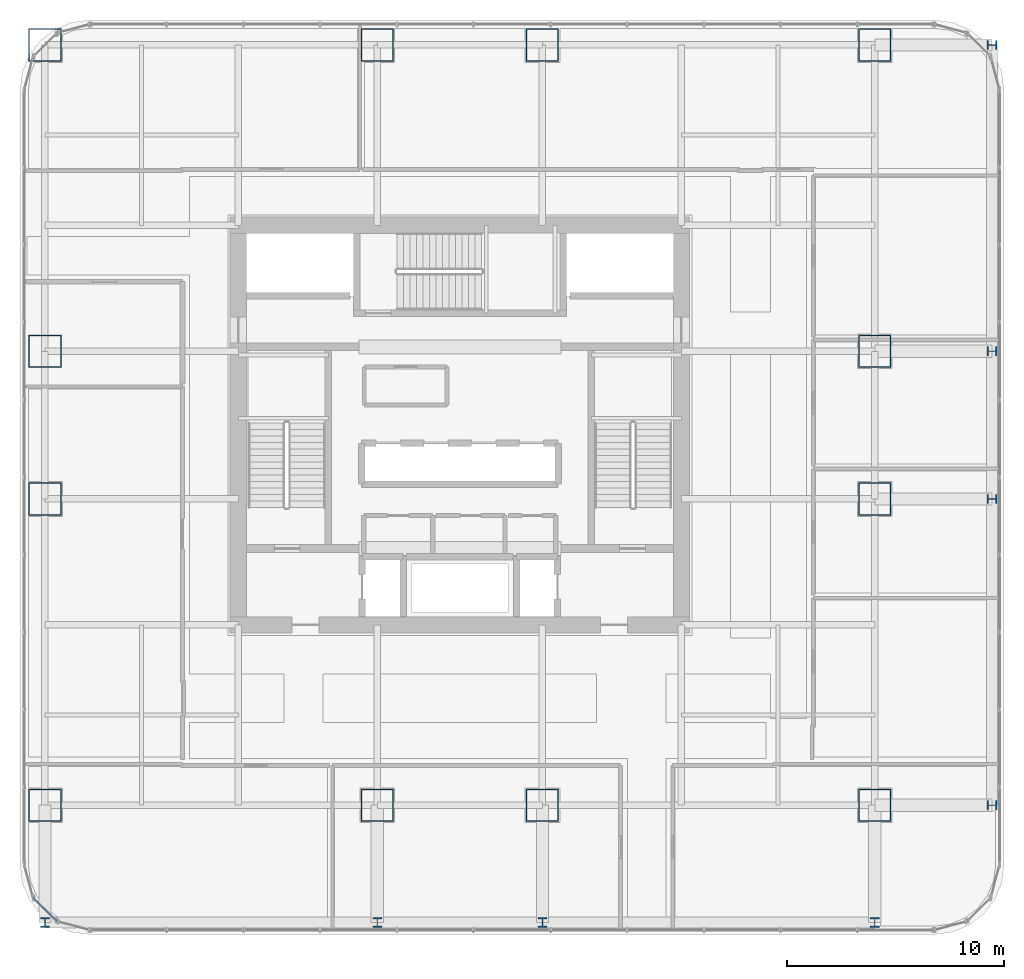
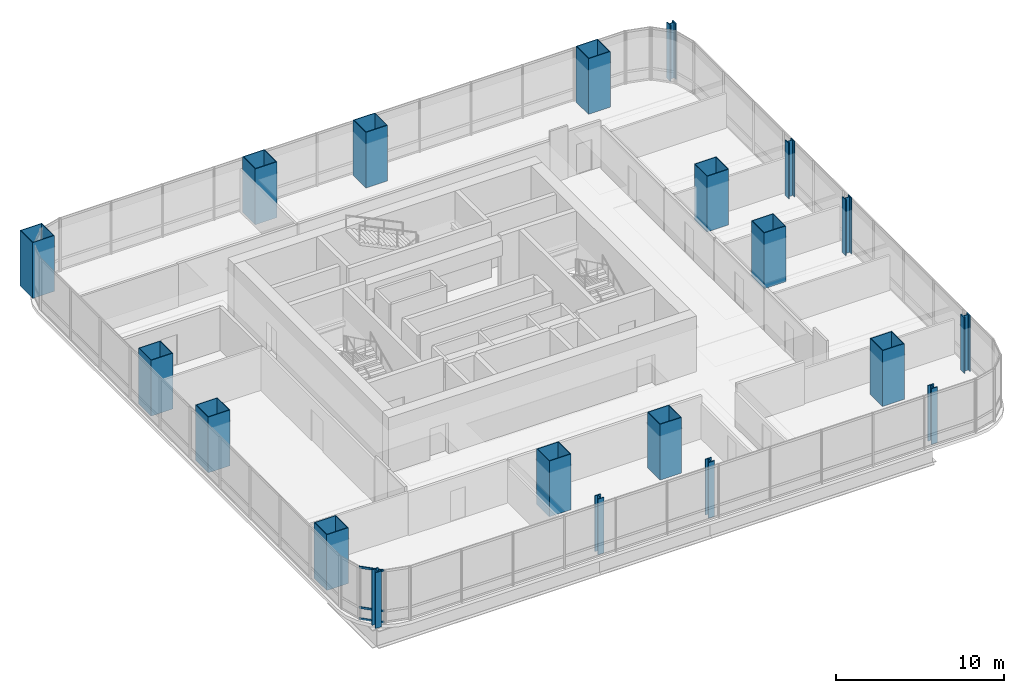
# One storey, part 1 of 34: 20 columns, 3 members, 1 element without a shape of its own.
"""IFC4 building model written with IfcOpenShell, lengths in metres."""

from ifc_helpers import new_model, si_unit, direction, frame, origin, origin_2d, place, context, subcontext, project, spatial, hollow_rectangle, i_section, extrude, material, material_profile, profile_set, type_object, element, aggregate, save


model = new_model("IFC4")

# Units and contexts
model_context = context("Model", 3, precision=1e-05, world=origin(), true_north=direction((0.0, 1.0)))
body_context = subcontext(model_context, "Body", "Model", "MODEL_VIEW")
ifc_project = project(units=[si_unit("LENGTHUNIT", "METRE"), si_unit("AREAUNIT", "SQUARE_METRE"), si_unit("VOLUMEUNIT", "CUBIC_METRE"), si_unit("PLANEANGLEUNIT", "RADIAN"), si_unit("MASSUNIT", "GRAM", prefix="KILO")], contexts=[model_context])

# Site, building, storey
site_placement = place(None, origin())
site = spatial("IfcSite", under=ifc_project, at=site_placement, CompositionType="ELEMENT")
building_placement = place(site_placement, origin())
building = spatial("IfcBuilding", under=site, at=building_placement, Name="Punatoya Terracotta Tower", CompositionType="ELEMENT")
storey_placement = place(building_placement, frame((0.0, 0.0, 84.89990234375)))
storey = spatial("IfcBuildingStorey", under=building, at=storey_placement, Name="L19", CompositionType="ELEMENT", Elevation=84.89990234375)

# Columns
ifc_material_1 = material(Name="Steel S460", Category="steel")
ifc_material_profile_1 = material_profile(ifc_material_1, i_section(OverallWidth=0.416015625, OverallDepth=0.446044921875, WebThickness=0.0390625, FlangeThickness=0.06201171875, FilletRadius=0.01806640625, at=origin_2d()))
ifc_profile_set_1 = profile_set([ifc_material_profile_1], Name="Steel S460")
column_type_1 = type_object("IfcColumnType", Name="COL-EX-M1", PredefinedType="COLUMN", material=ifc_profile_set_1)
for number, where, z_axis, x_axis, name in (
    (1, (-19.10009765625, -22.89990234375, 0.0), (0.0, 0.0, 1.0), (1.0, 0.0, 0.0), "L19 Exoskeleton Perimeter Column S1"),
    (2, (-3.800048828125, -22.89990234375, 0.0), (0.0, 0.0, 1.0), (1.0, 0.0, 0.0), "L19 Exoskeleton Perimeter Column S2"),
    (3, (3.800048828125, -22.89990234375, 0.0), (0.0, 0.0, 1.0), (1.0, 0.0, 0.0), "L19 Exoskeleton Perimeter Column S3"),
    (4, (19.10009765625, -22.89990234375, 0.0), (0.0, 0.0, 1.0), (1.0, 0.0, 0.0), "L19 Exoskeleton Perimeter Column S4"),
    (5, (24.5, -17.5, 0.0), (0.0, 0.0, 1.0), (0.0, 1.0, 0.0), "L19 Exoskeleton Perimeter Column E1"),
    (6, (24.5, -3.39990234375, 0.0), (0.0, 0.0, 1.0), (0.0, 1.0, 0.0), "L19 Exoskeleton Perimeter Column E2"),
    (7, (24.5, 3.39990234375, 0.0), (0.0, 0.0, 1.0), (0.0, 1.0, 0.0), "L19 Exoskeleton Perimeter Column E3"),
    (8, (24.5, 17.5, 0.0), (0.0, 0.0, 1.0), (0.0, 1.0, 0.0), "L19 Exoskeleton Perimeter Column E4"),
):
    element("IfcColumn", number, at=place(storey_placement, frame(where, z_axis=z_axis, x_axis=x_axis)), inside=storey, type_object=column_type_1, Name=name, PredefinedType="COLUMN", context=body_context, shape_type="SweptSolid", body=[
        extrude(i_section(OverallWidth=0.416015625, OverallDepth=0.446044921875, WebThickness=0.0390625, FlangeThickness=0.06201171875, FilletRadius=0.01806640625, at=origin_2d()), origin(), (0.0, 0.0, 1.0), 4.048095703125),
    ])
ifc_material_profile_2 = material_profile(ifc_material_1, hollow_rectangle(XDim=1.5, YDim=1.5, WallThickness=0.044921875, at=origin_2d()))
ifc_profile_set_2 = profile_set([ifc_material_profile_2], Name="Steel S460")
column_type_2 = type_object("IfcColumnType", Name="COL-MC-Z1", PredefinedType="COLUMN", material=ifc_profile_set_2)
for number, where, z_axis, x_axis, name in (
    (9, (-19.10009765625, -17.5, 0.0), (0.0, 0.0, 1.0), (1.0, 0.0, 0.0), "L19 Composite Mega-Column MC-01 (3-B)"),
    (10, (-3.800048828125, -17.5, 0.0), (0.0, 0.0, 1.0), (1.0, 0.0, 0.0), "L19 Composite Mega-Column MC-02 (5-B)"),
    (11, (3.800048828125, -17.5, 0.0), (0.0, 0.0, 1.0), (1.0, 0.0, 0.0), "L19 Composite Mega-Column MC-03 (7-B)"),
    (12, (19.10009765625, -17.5, 0.0), (0.0, 0.0, 1.0), (1.0, 0.0, 0.0), "L19 Composite Mega-Column MC-04 (9-B)"),
    (13, (19.10009765625, -3.39990234375, 0.0), (0.0, 0.0, 1.0), (1.0, 0.0, 0.0), "L19 Composite Mega-Column MC-05 (9-D)"),
    (14, (19.10009765625, 3.39990234375, 0.0), (0.0, 0.0, 1.0), (1.0, 0.0, 0.0), "L19 Composite Mega-Column MC-06 (9-E)"),
    (15, (19.10009765625, 17.5, 0.0), (0.0, 0.0, 1.0), (1.0, 0.0, 0.0), "L19 Composite Mega-Column MC-07 (9-G)"),
    (16, (3.800048828125, 17.5, 0.0), (0.0, 0.0, 1.0), (1.0, 0.0, 0.0), "L19 Composite Mega-Column MC-08 (7-G)"),
    (17, (-3.800048828125, 17.5, 0.0), (0.0, 0.0, 1.0), (1.0, 0.0, 0.0), "L19 Composite Mega-Column MC-09 (5-G)"),
    (18, (-19.10009765625, 17.5, 0.0), (0.0, 0.0, 1.0), (1.0, 0.0, 0.0), "L19 Composite Mega-Column MC-10 (3-G)"),
    (19, (-19.10009765625, 3.39990234375, 0.0), (0.0, 0.0, 1.0), (1.0, 0.0, 0.0), "L19 Composite Mega-Column MC-11 (3-E)"),
    (20, (-19.10009765625, -3.39990234375, 0.0), (0.0, 0.0, 1.0), (1.0, 0.0, 0.0), "L19 Composite Mega-Column MC-12 (3-D)"),
):
    element("IfcColumn", number, at=place(storey_placement, frame(where, z_axis=z_axis, x_axis=x_axis)), inside=storey, type_object=column_type_2, Name=name, PredefinedType="COLUMN", context=body_context, shape_type="SweptSolid", body=[
        extrude(hollow_rectangle(XDim=1.5, YDim=1.5, WallThickness=0.044921875, at=origin_2d()), origin(), (0.0, 0.0, 1.0), 4.050048828125),
    ])

# Curtain wall, members
ifc_material_2 = material(Name="Aluminium 6063-T6 + Double Low-E Glass", Category="aluminium")
curtain_wall_type = type_object("IfcCurtainWallType", Name="CW-M1", PredefinedType="NOTDEFINED", material=ifc_material_2)
curtain_wall_placement = place(storey_placement, origin())
curtain_wall = element("IfcCurtainWall", 21, at=curtain_wall_placement, inside=storey, type_object=curtain_wall_type, Name="L19 Curtain Wall CW-L19-CRN15", PredefinedType="NOTDEFINED")
ifc_material_3 = material(Name="Aluminium 6063-T6", Category="aluminium")
ifc_material_profile_3 = material_profile(ifc_material_3, hollow_rectangle(XDim=0.068115234375, YDim=0.14990234375, WallThickness=0.00390625, at=origin_2d()))
ifc_profile_set_3 = profile_set([ifc_material_profile_3], Name="Aluminium 6063-T6")
member_type = type_object("IfcMemberType", Name="CW-TRN-TYP", PredefinedType="USERDEFINED", material=ifc_profile_set_3)
member_1_placement = place(storey_placement, frame((-19.646484375, -21.7490234375, 0.0400390625), z_axis=(0.707028130747, -0.707185422879, 0.0), x_axis=(0.707185422879, 0.707028130747, 0.0)))
member_1 = element("IfcMember", 22, at=member_1_placement, type_object=member_type, Name="CW-L19-CRN15 Transom 1", ObjectType="TRANSOM", PredefinedType="USERDEFINED", context=body_context, shape_type="SweptSolid", body=[
    extrude(hollow_rectangle(XDim=0.068115234375, YDim=0.14990234375, WallThickness=0.00390625, at=origin_2d()), origin(), (0.0, 0.0, 1.0), 1.55224609375),
])
member_2_placement = place(storey_placement, frame((-19.646484375, -21.7490234375, 0.85009765625), z_axis=(0.707028130747, -0.707185422879, 0.0), x_axis=(0.707185422879, 0.707028130747, 0.0)))
member_2 = element("IfcMember", 23, at=member_2_placement, type_object=member_type, Name="CW-L19-CRN15 Transom 2", ObjectType="TRANSOM", PredefinedType="USERDEFINED", context=body_context, shape_type="SweptSolid", body=[
    extrude(hollow_rectangle(XDim=0.068115234375, YDim=0.14990234375, WallThickness=0.00390625, at=origin_2d()), origin(), (0.0, 0.0, 1.0), 1.55224609375),
])
member_3_placement = place(storey_placement, frame((-19.646484375, -21.7490234375, 3.77001953125), z_axis=(0.707028130747, -0.707185422879, 0.0), x_axis=(0.707185422879, 0.707028130747, 0.0)))
member_3 = element("IfcMember", 24, at=member_3_placement, type_object=member_type, Name="CW-L19-CRN15 Transom 3", ObjectType="TRANSOM", PredefinedType="USERDEFINED", context=body_context, shape_type="SweptSolid", body=[
    extrude(hollow_rectangle(XDim=0.068115234375, YDim=0.14990234375, WallThickness=0.00390625, at=origin_2d()), origin(), (0.0, 0.0, 1.0), 1.55224609375),
])
aggregate(curtain_wall, [member_1, member_2, member_3])

save(model, "model.ifc")
